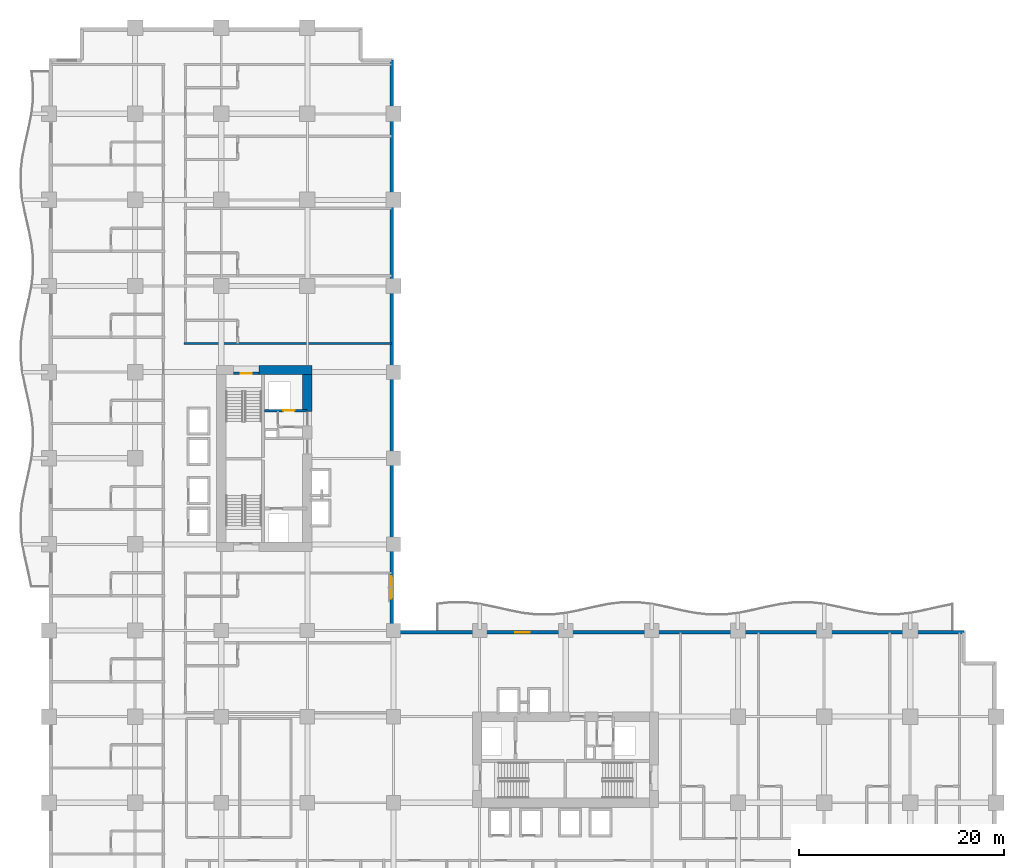
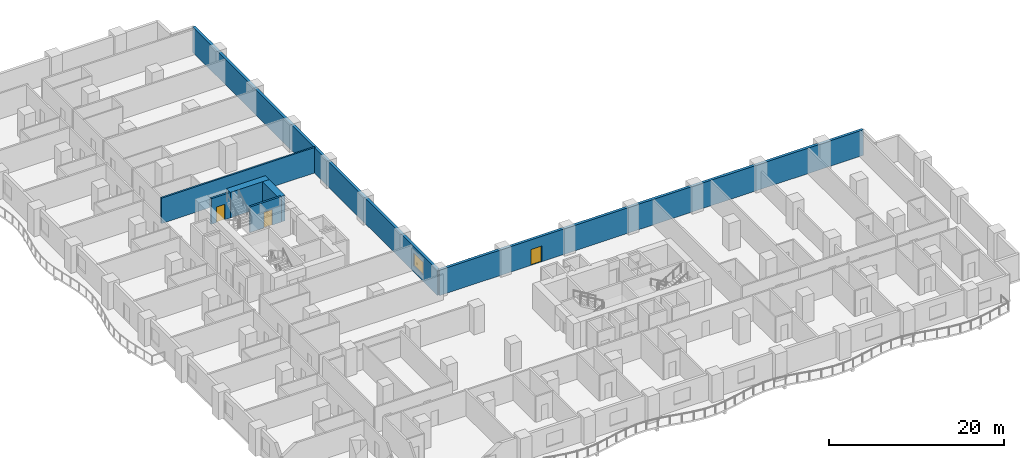
# One storey, part 12 of 20: 7 walls, 3 doors, 1 window, 4 openings.
"""IFC4 building model written with IfcOpenShell, lengths in metres."""

from ifc_helpers import new_model, si_unit, direction, frame, frame_2d, origin, place, context, subcontext, project, spatial, rectangle, extrude, material, layer, layer_set, type_object, element, fill, save


model = new_model("IFC4")

# Units and contexts
model_context = context("Model", 3, precision=1e-05, world=origin(), true_north=direction((0.0, 1.0)))
body_context = subcontext(model_context, "Body", "Model", "MODEL_VIEW")
ifc_project = project(units=[si_unit("LENGTHUNIT", "METRE"), si_unit("AREAUNIT", "SQUARE_METRE"), si_unit("VOLUMEUNIT", "CUBIC_METRE"), si_unit("PLANEANGLEUNIT", "RADIAN"), si_unit("MASSUNIT", "GRAM", prefix="KILO")], contexts=[model_context])

# Site, building, storey
site_placement = place(None, origin())
site = spatial("IfcSite", under=ifc_project, at=site_placement, CompositionType="ELEMENT")
building_placement = place(site_placement, origin())
building = spatial("IfcBuilding", under=site, at=building_placement, Name="Koriwani Terraces Tower", CompositionType="ELEMENT")
storey_placement = place(building_placement, frame((0.0, 0.0, 35.800048828125)))
storey = spatial("IfcBuildingStorey", under=building, at=storey_placement, Name="L07", CompositionType="ELEMENT", Elevation=35.800048828125)

# Walls
ifc_material_1 = material(Name="Concrete C60/75", Category="concrete")
ifc_layer_1 = layer(ifc_material_1, 0.89990234375, Name="Concrete C60/75")
ifc_layer_set_1 = layer_set([ifc_layer_1], Name="Concrete C60/75")
wall_type_1 = type_object("IfcWallType", Name="WALL_CORE_RC_900", PredefinedType="SHEAR", material=ifc_layer_set_1)
wall_1_placement = place(storey_placement, frame((20.5, 59.0, 0.0), z_axis=(0.0, 0.0, 1.0), x_axis=(1.0, 0.0, 0.0)))
element("IfcWall", 1, at=wall_1_placement, inside=storey, type_object=wall_type_1, Name="L07 West Split Core Shear Wall N2", PredefinedType="SHEAR", context=body_context, shape_type="SweptSolid", body=[
    extrude(rectangle(XDim=5.14990234375, YDim=0.89990234375, at=frame_2d((2.574951171875, 0.0))), origin(), (0.0, 0.0, 1.0), 3.550048828125),
])
wall_2_placement = place(storey_placement, frame((25.199951171875, 54.949951171875, 0.0), z_axis=(0.0, 0.0, 1.0), x_axis=(0.0, 1.0, 0.0)))
element("IfcWall", 2, at=wall_2_placement, inside=storey, type_object=wall_type_1, Name="L07 West Split Core Shear Wall E3", PredefinedType="SHEAR", context=body_context, shape_type="SweptSolid", body=[
    extrude(rectangle(XDim=3.60009765625, YDim=0.89990234375, at=frame_2d((1.800048828125, 0.0))), origin(), (0.0, 0.0, 1.0), 3.550048828125),
])
ifc_material_2 = material(Name="Autoclaved Cellular Concrete Blockwork", Category="masonry")
ifc_layer_2 = layer(ifc_material_2, 0.219970703125, Name="Autoclaved Cellular Concrete Blockwork")
ifc_layer_set_2 = layer_set([ifc_layer_2], Name="Autoclaved Cellular Concrete Blockwork")
wall_type_2 = type_object("IfcWallType", Name="WALL_DEMISING_220", PredefinedType="PARTITIONING", material=ifc_layer_set_2)
wall_3_placement = place(storey_placement, frame((13.14990234375, 61.60009765625, 0.0), z_axis=(0.0, 0.0, 1.0), x_axis=(1.0, 0.0, 0.0)))
element("IfcWall", 3, at=wall_3_placement, inside=storey, type_object=wall_type_2, Name="L07 Interior Wall WDEM-L07-NE-0", PredefinedType="PARTITIONING", context=body_context, shape_type="SweptSolid", body=[
    extrude(rectangle(XDim=20.280029296875, YDim=0.219970703125, at=frame_2d((10.14013671875, 0.0))), origin(), (0.0, 0.0, 1.0), 3.550048828125),
])

# Wall, opening, window
ifc_material_3 = material(Name="Concrete C50/60", Category="concrete")
ifc_layer_3 = layer(ifc_material_3, 0.35009765625, Name="Concrete C50/60")
ifc_layer_set_3 = layer_set([ifc_layer_3], Name="Concrete C50/60")
wall_type_3 = type_object("IfcWallType", Name="WALL_EXT_BRUTALIST_350", PredefinedType="STANDARD", material=ifc_layer_set_3)
wall_4_placement = place(storey_placement, frame((33.425048828125, 89.22509765625, 0.0), z_axis=(0.0, 0.0, 1.0), x_axis=(0.0, -1.0, 0.0)))
wall_4 = element("IfcWall", 4, at=wall_4_placement, inside=storey, type_object=wall_type_3, Name="L07 Fair-Faced Brutalist Exterior Wall (NW_IN)", PredefinedType="STANDARD", context=body_context, shape_type="SweptSolid", body=[
    extrude(rectangle(XDim=55.800048828125, YDim=0.35009765625, at=frame_2d((27.89990234375, 0.0))), origin(), (0.0, 0.0, 1.0), 3.550048828125),
])
opening_1_placement = place(wall_4_placement, frame((50.324951171875, 0.0, 0.85009765625)))
opening_1 = element("IfcOpeningElement", 5, at=opening_1_placement, cuts=wall_4, Name="Opening W-01", PredefinedType="OPENING", context=body_context, shape_type="SweptSolid", body=[
    extrude(rectangle(XDim=2.199951171875, YDim=1.800048828125, at=frame_2d((1.10009765625, 0.89990234375))), frame((0.0, 0.18505859375, 0.0), z_axis=(0.0, -1.0, 0.0), x_axis=(1.0, 0.0, 0.0)), (0.0, 0.0, 1.0), 0.3701171875),
])
ifc_material_4 = material(Name="Tempered Laminated Low-E Glass", Category="glass")
window_type = type_object("IfcWindowType", Name="WIN_HOTEL_STD_2200X1800", PartitioningType="DOUBLE_PANEL_VERTICAL", PredefinedType="WINDOW", material=ifc_material_4)
window_placement = place(opening_1_placement, origin())
window = element("IfcWindow", 6, at=window_placement, inside=storey, type_object=window_type, Name="L07 Exterior Window (NW_IN-2)", OverallHeight=1.800048828125, OverallWidth=2.199951171875, PartitioningType="SINGLE_PANEL", PredefinedType="WINDOW", context=body_context, shape_type="SweptSolid", body=[
    extrude(rectangle(XDim=2.199951171875, YDim=1.800048828125, at=frame_2d((1.10009765625, 0.89990234375))), frame((0.0, 0.030029296875, 0.0), z_axis=(0.0, -1.0, 0.0), x_axis=(1.0, 0.0, 0.0)), (0.0, 0.0, 1.0), 0.06005859375),
])
fill(opening_1, window)

# Wall, opening, door
wall_5_placement = place(storey_placement, frame((33.425048828125, 33.425048828125, 0.0), z_axis=(0.0, 0.0, 1.0), x_axis=(1.0, 0.0, 0.0)))
wall_5 = element("IfcWall", 7, at=wall_5_placement, inside=storey, type_object=wall_type_3, Name="L07 Fair-Faced Brutalist Exterior Wall (NE)", PredefinedType="STANDARD", context=body_context, shape_type="SweptSolid", body=[
    extrude(rectangle(XDim=55.800048828125, YDim=0.35009765625, at=frame_2d((27.89990234375, 0.0))), origin(), (0.0, 0.0, 1.0), 3.550048828125),
])
opening_2_placement = place(wall_5_placement, frame((12.074951171875, 0.0, 0.0)))
opening_2 = element("IfcOpeningElement", 8, at=opening_2_placement, cuts=wall_5, Name="Opening D-09", PredefinedType="OPENING", context=body_context, shape_type="SweptSolid", body=[
    extrude(rectangle(XDim=1.39990234375, YDim=2.199951171875, at=frame_2d((0.699951171875, 1.10009765625))), frame((0.0, 0.18505859375, 0.0), z_axis=(0.0, -1.0, 0.0), x_axis=(1.0, 0.0, 0.0)), (0.0, 0.0, 1.0), 0.3701171875),
])
ifc_material_5 = material(Name="Anodised Bronze Aluminium", Category="aluminium")
door_type_1 = type_object("IfcDoorType", Name="DOOR_BALCONY_GLAZED_1400X2200", OperationType="NOTDEFINED", PredefinedType="DOOR", material=ifc_material_5)
door_1_placement = place(opening_2_placement, origin())
door_1 = element("IfcDoor", 9, at=door_1_placement, inside=storey, type_object=door_type_1, Name="L07 Inner Court Balcony Glazed Door", OperationType="SINGLE_SWING_LEFT", OverallHeight=2.199951171875, OverallWidth=1.39990234375, PredefinedType="DOOR", context=body_context, shape_type="SweptSolid", body=[
    extrude(rectangle(XDim=1.39990234375, YDim=2.199951171875, at=frame_2d((0.699951171875, 1.10009765625))), frame((0.0, 0.02490234375, 0.0), z_axis=(0.0, -1.0, 0.0), x_axis=(1.0, 0.0, 0.0)), (0.0, 0.0, 1.0), 0.050048828125),
])
fill(opening_2, door_1)

ifc_material_6 = material(Name="Concrete C40/50", Category="concrete")
ifc_layer_4 = layer(ifc_material_6, 0.25, Name="Concrete C40/50")
ifc_layer_set_4 = layer_set([ifc_layer_4], Name="Concrete C40/50")
wall_type_4 = type_object("IfcWallType", Name="WALL_SHAFT_RATED_250", PredefinedType="SOLIDWALL", material=ifc_layer_set_4)
wall_6_placement = place(storey_placement, frame((18.0, 58.675048828125, 0.0), z_axis=(0.0, 0.0, 1.0), x_axis=(1.0, 0.0, 0.0)))
wall_6 = element("IfcWall", 10, at=wall_6_placement, inside=storey, type_object=wall_type_4, Name="L07 Interior Wall WIN-CW-L07-STN", PredefinedType="SOLIDWALL", context=body_context, shape_type="SweptSolid", body=[
    extrude(rectangle(XDim=2.5, YDim=0.25, at=frame_2d((1.25, 0.0))), origin(), (0.0, 0.0, 1.0), 3.550048828125),
])
opening_3_placement = place(wall_6_placement, frame((0.699951171875, 0.0, 0.0)))
opening_3 = element("IfcOpeningElement", 11, at=opening_3_placement, cuts=wall_6, Name="Opening D-03", PredefinedType="OPENING", context=body_context, shape_type="SweptSolid", body=[
    extrude(rectangle(XDim=1.10009765625, YDim=2.14990234375, at=frame_2d((0.550048828125, 1.074951171875))), frame((0.0, 0.135009765625, 0.0), z_axis=(0.0, -1.0, 0.0), x_axis=(1.0, 0.0, 0.0)), (0.0, 0.0, 1.0), 0.27001953125),
])
ifc_material_7 = material(Name="Steel ASTM A572 Grade 50", Category="steel")
door_type_2 = type_object("IfcDoorType", Name="DOOR_STAIR_FIRE_1100X2150", OperationType="NOTDEFINED", PredefinedType="DOOR", material=ifc_material_7)
door_2_placement = place(opening_3_placement, origin())
door_2 = element("IfcDoor", 12, at=door_2_placement, inside=storey, type_object=door_type_2, Name="L07 Exit Stair ST-W2 Door", OperationType="SINGLE_SWING_RIGHT", OverallHeight=2.14990234375, OverallWidth=1.10009765625, PredefinedType="DOOR", context=body_context, shape_type="SweptSolid", body=[
    extrude(rectangle(XDim=1.10009765625, YDim=2.14990234375, at=frame_2d((0.550048828125, 1.074951171875))), frame((0.0, 0.02490234375, 0.0), z_axis=(0.0, -1.0, 0.0), x_axis=(1.0, 0.0, 0.0)), (0.0, 0.0, 1.0), 0.050048828125),
])
fill(opening_3, door_2)

wall_7_placement = place(storey_placement, frame((21.0, 55.050048828125, 0.0), z_axis=(0.0, 0.0, 1.0), x_axis=(1.0, 0.0, 0.0)))
wall_7 = element("IfcWall", 13, at=wall_7_placement, inside=storey, type_object=wall_type_4, Name="L07 Interior Wall WIN-CW-L07-SE", PredefinedType="SOLIDWALL", context=body_context, shape_type="SweptSolid", body=[
    extrude(rectangle(XDim=4.14990234375, YDim=0.25, at=frame_2d((2.074951171875, 0.0))), origin(), (0.0, 0.0, 1.0), 3.550048828125),
])
opening_4_placement = place(wall_7_placement, frame((1.85009765625, 0.0, 0.0)))
opening_4 = element("IfcOpeningElement", 14, at=opening_4_placement, cuts=wall_7, Name="Opening LD-01", PredefinedType="OPENING", context=body_context, shape_type="SweptSolid", body=[
    extrude(rectangle(XDim=1.10009765625, YDim=2.14990234375, at=frame_2d((0.550048828125, 1.074951171875))), frame((0.0, 0.135009765625, 0.0), z_axis=(0.0, -1.0, 0.0), x_axis=(1.0, 0.0, 0.0)), (0.0, 0.0, 1.0), 0.27001953125),
])
door_type_3 = type_object("IfcDoorType", Name="DOOR_LIFT_LANDING_1100X2200", OperationType="NOTDEFINED", PredefinedType="DOOR", material=ifc_material_7)
door_3_placement = place(opening_4_placement, origin())
door_3 = element("IfcDoor", 15, at=door_3_placement, inside=storey, type_object=door_type_3, Name="L07 Goods Lift SE-01 Landing Door", OperationType="SLIDING_TO_LEFT", OverallHeight=2.14990234375, OverallWidth=1.10009765625, PredefinedType="DOOR", context=body_context, shape_type="SweptSolid", body=[
    extrude(rectangle(XDim=1.10009765625, YDim=2.14990234375, at=frame_2d((0.550048828125, 1.074951171875))), frame((0.0, 0.02490234375, 0.0), z_axis=(0.0, -1.0, 0.0), x_axis=(1.0, 0.0, 0.0)), (0.0, 0.0, 1.0), 0.050048828125),
])
fill(opening_4, door_3)

save(model, "model.ifc")
